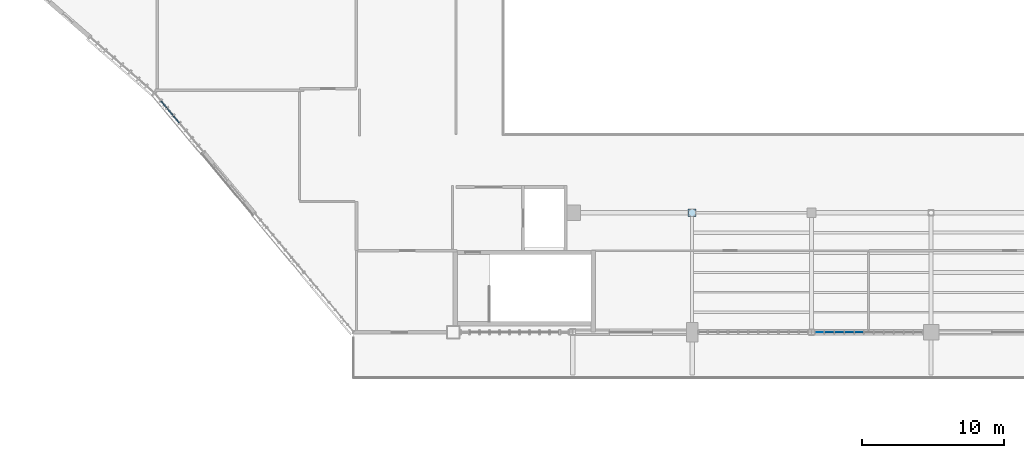
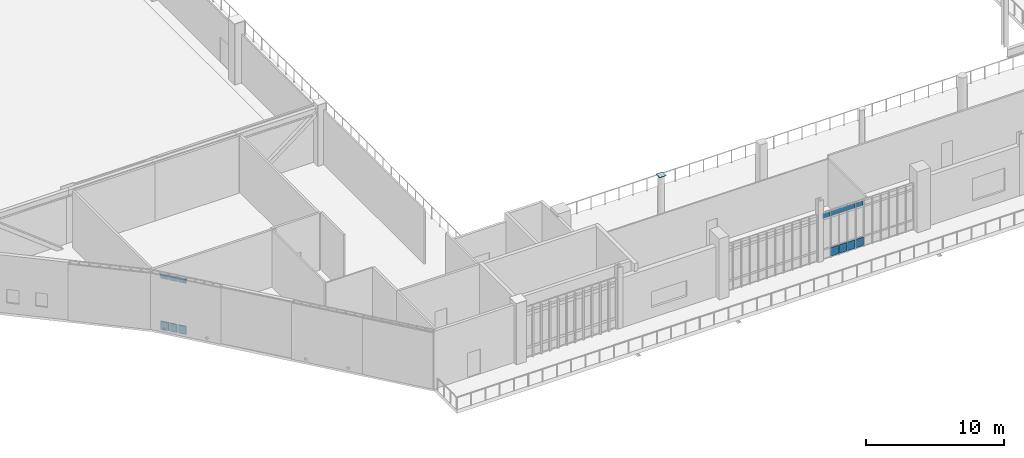
# One storey, part 91 of 135: 16 plates, 2 elements without a shape of their own.
"""IFC4 building model written with IfcOpenShell, lengths in metres."""

import ifcopenshell
import ifcopenshell.guid

model = None  # the IFC model being written
_history = None  # IfcOwnerHistory: only IFC2X3 demands one
_inside = {}  # id of a spatial element -> (the spatial element, [elements in it])
_under = {}  # id of a project, library or spatial element -> (it, [spatial elements below it])
_declared = {}  # id of a project -> (the project, [libraries it declares])
_typed = {}  # id of a type object -> (the type object, [elements of that type])
_made_of = {}  # id of a material, layer set ... -> (it, [elements and type objects made of it])


def new_model(schema):
    """Start an empty IFC model of exactly this schema.

    Asked for "IFC4X3", IfcOpenShell would pick the latest addendum, in which some entities
    have other attributes; the version numbers below select the first issue.
    IFC2X3 requires an IfcOwnerHistory on every rooted entity: one is made here for all.
    """
    global model, _history
    if schema == "IFC4X3":
        model = ifcopenshell.file(schema_version=(4, 3, 0, 0))
    else:
        model = ifcopenshell.file(schema=schema)
    _inside.clear()
    _under.clear()
    _declared.clear()
    _typed.clear()
    _made_of.clear()
    _history = None
    if model.schema == "IFC2X3":
        org = make("IfcOrganization", Name="unknown")
        user = make(
            "IfcPersonAndOrganization",
            ThePerson=make("IfcPerson", FamilyName="unknown"),
            TheOrganization=org,
        )
        app = make(
            "IfcApplication",
            ApplicationDeveloper=org,
            Version="unknown",
            ApplicationFullName="unknown",
            ApplicationIdentifier="unknown",
        )
        _history = make(
            "IfcOwnerHistory",
            OwningUser=user,
            OwningApplication=app,
            ChangeAction="ADDED",
            CreationDate=0,
        )
    return model


def make(cls, **values):
    """One entity of the class cls with the attributes given. An attribute that is None is left unset."""
    return model.create_entity(
        cls, **{name: value for name, value in values.items() if value is not None}
    )


def rooted(cls, **values):
    """An entity with a GlobalId (a new one), such as an element, a storey or a relation."""
    return make(cls, GlobalId=ifcopenshell.guid.new(), OwnerHistory=_history, **values)


def si_unit(unit_type, name, prefix=None):
    """IfcSIUnit, for example si_unit("LENGTHUNIT", "METRE", prefix="MILLI")."""
    return make("IfcSIUnit", UnitType=unit_type, Prefix=prefix, Name=name)


def assignment(units):
    """IfcUnitAssignment: the units of a project."""
    return None if units is None else make("IfcUnitAssignment", Units=units)


def point(xyz):
    """IfcCartesianPoint."""
    return None if xyz is None else make("IfcCartesianPoint", Coordinates=xyz)


def direction(xyz):
    """IfcDirection."""
    return None if xyz is None else make("IfcDirection", DirectionRatios=xyz)


def frame(location, z_axis=None, x_axis=None):
    """IfcAxis2Placement3D, a coordinate frame: its origin and axes. An axis left out is left unset."""
    return make(
        "IfcAxis2Placement3D",
        Location=point(location),
        Axis=direction(z_axis),
        RefDirection=direction(x_axis),
    )


def frame_2d(location, x_axis=None):
    """IfcAxis2Placement2D, a coordinate frame in the plane: its origin and x axis."""
    return make(
        "IfcAxis2Placement2D", Location=point(location), RefDirection=direction(x_axis)
    )


def origin():
    """The frame at (0, 0, 0) with its axes left unset."""
    return frame((0.0, 0.0, 0.0))


def origin_2d():
    """The frame at (0, 0) in the plane with its x axis left unset."""
    return frame_2d((0.0, 0.0))


def place(relative_to, where):
    """IfcLocalPlacement: puts the frame where relative to a parent placement (None: the world)."""
    return make(
        "IfcLocalPlacement", PlacementRelTo=relative_to, RelativePlacement=where
    )


def context(
    kind, dimensions, precision=None, world=None, true_north=None, identifier=None
):
    """IfcGeometricRepresentationContext, for example the 3D "Model" context."""
    return make(
        "IfcGeometricRepresentationContext",
        ContextIdentifier=identifier,
        ContextType=kind,
        CoordinateSpaceDimension=dimensions,
        Precision=precision,
        WorldCoordinateSystem=world,
        TrueNorth=true_north,
    )


def subcontext(parent, identifier, kind, view, scale=None):
    """IfcGeometricRepresentationSubContext, for example "Body" below "Model"."""
    return make(
        "IfcGeometricRepresentationSubContext",
        ContextIdentifier=identifier,
        ContextType=kind,
        ParentContext=parent,
        TargetScale=scale,
        TargetView=view,
    )


def project(units=None, contexts=None):
    """IfcProject with its units and contexts."""
    return rooted(
        "IfcProject",
        Name="project",
        RepresentationContexts=contexts,
        UnitsInContext=assignment(units),
    )


def spatial(cls, under=None, at=None, **own):
    """A site, building, storey or space (cls), placed at a placement, below another one or the project."""
    s = rooted(cls, ObjectPlacement=at, **own)
    if under is not None:
        _under.setdefault(under.id(), (under, []))[1].append(s)
    return s


def profile(cls, at=None, kind="AREA", **sizes):
    """A parametric profile (cls). Its sizes go by their IFC names, for example OverallWidth=200.0."""
    return make(cls, ProfileType=kind, Position=at, **sizes)


def rectangle(**sizes):
    """IfcRectangleProfileDef."""
    return profile("IfcRectangleProfileDef", **sizes)


def extrude(swept, where, along, depth):
    """IfcExtrudedAreaSolid: the profile swept, set in the frame where, extruded along a direction by depth."""
    return make(
        "IfcExtrudedAreaSolid",
        SweptArea=swept,
        Position=where,
        ExtrudedDirection=direction(along),
        Depth=depth,
    )


def shape(context_of_items, identifier, shape_type, items):
    """IfcShapeRepresentation: the items that make up one representation, for example the "Body"."""
    return make(
        "IfcShapeRepresentation",
        ContextOfItems=context_of_items,
        RepresentationIdentifier=identifier,
        RepresentationType=shape_type,
        Items=items,
    )


def material(Name=None, Category=None):
    """IfcMaterial."""
    return make("IfcMaterial", Name=Name, Category=Category)


def layer(
    of_material, thickness, ventilated=None, Name=None, Category=None, Priority=None
):
    """IfcMaterialLayer: one layer of a wall or slab, of a material (None: an air gap)."""
    return make(
        "IfcMaterialLayer",
        Material=of_material,
        LayerThickness=thickness,
        IsVentilated=ventilated,
        Name=Name,
        Category=Category,
        Priority=Priority,
    )


def layer_set(layers, Name=None):
    """IfcMaterialLayerSet."""
    return make("IfcMaterialLayerSet", MaterialLayers=layers, LayerSetName=Name)


def made_of(thing, what):
    """Note that an element or type object is made of a material, layer set ...; save() writes the relation."""
    if what is not None:
        _made_of.setdefault(what.id(), (what, []))[1].append(thing)
    return thing


def type_object(cls, material=None, **own):
    """A type object (cls), such as IfcWallType, which elements share."""
    return made_of(rooted(cls, **own), material)


def element(
    cls,
    number,
    at=None,
    inside=None,
    cuts=None,
    type_object=None,
    material=None,
    context=None,
    identifier="Body",
    shape_type=None,
    held_by="IfcProductDefinitionShape",
    body=None,
    shapes=None,
    **own,
):
    """One element of the class cls, such as IfcWall. Its Tag is "e" and its number.

    at: its placement. inside: the storey or other place that contains it. cuts: it is an
    opening in that element (IfcRelVoidsElement). A single representation is given by context,
    identifier, shape_type and body (its items); several are given by shapes. held_by: the class
    of the entity that holds the representations. save() writes the other relations.
    """
    e = rooted(cls, Tag="e%d" % number, ObjectPlacement=at, **own)
    if body is not None:
        shapes = [shape(context, identifier, shape_type, body)]
    if shapes is not None:
        e.Representation = make(held_by, Representations=shapes)
    if inside is not None:
        _inside.setdefault(inside.id(), (inside, []))[1].append(e)
    if cuts is not None:
        rooted(
            "IfcRelVoidsElement", RelatingBuildingElement=cuts, RelatedOpeningElement=e
        )
    if type_object is not None:
        _typed.setdefault(type_object.id(), (type_object, []))[1].append(e)
    return made_of(e, material)


def aggregate(whole, parts):
    """IfcRelAggregates: a whole, such as a stair, and the parts it consists of."""
    return rooted("IfcRelAggregates", RelatingObject=whole, RelatedObjects=parts)


def save(model, path):
    """Write the relations noted so far, then the file.

    IfcRelAggregates (storeys below a building ...), IfcRelContainedInSpatialStructure (elements
    in a storey), IfcRelDefinesByType, IfcRelAssociatesMaterial and IfcRelDeclares: one each for
    every whole, place, type object, material and project.
    """
    for whole, parts in _under.values():
        aggregate(whole, parts)
    for where, things in _inside.values():
        rooted(
            "IfcRelContainedInSpatialStructure",
            RelatedElements=things,
            RelatingStructure=where,
        )
    for kind, things in _typed.values():
        rooted("IfcRelDefinesByType", RelatedObjects=things, RelatingType=kind)
    for what, things in _made_of.values():
        rooted("IfcRelAssociatesMaterial", RelatedObjects=things, RelatingMaterial=what)
    for by, libraries in _declared.values():
        rooted("IfcRelDeclares", RelatingContext=by, RelatedDefinitions=libraries)
    model.write(path)


model = new_model("IFC4")

# Units and contexts
model_context = context("Model", 3, precision=1e-05, world=origin(), true_north=direction((0.0, 1.0)))
body_context = subcontext(model_context, "Body", "Model", "MODEL_VIEW")
ifc_project = project(units=[si_unit("LENGTHUNIT", "METRE"), si_unit("AREAUNIT", "SQUARE_METRE"), si_unit("VOLUMEUNIT", "CUBIC_METRE"), si_unit("PLANEANGLEUNIT", "RADIAN"), si_unit("MASSUNIT", "GRAM", prefix="KILO")], contexts=[model_context])

# Site, building, storey
site_placement = place(None, origin())
site = spatial("IfcSite", under=ifc_project, at=site_placement, CompositionType="ELEMENT")
building_placement = place(site_placement, origin())
building = spatial("IfcBuilding", under=site, at=building_placement, Name="Larkvane Passage Sports Hall", CompositionType="ELEMENT")
storey_placement = place(building_placement, frame((0.0, 0.0, 16.800048828125)))
storey = spatial("IfcBuildingStorey", under=building, at=storey_placement, Name="L03", CompositionType="ELEMENT", Elevation=16.800048828125)

# Curtain wall, plates
ifc_material_1 = material(Name="Thermally broken aluminium and low-E glazing", Category="aluminium")
curtain_wall_type_1 = type_object("IfcCurtainWallType", Name="CW-STICK-FOYER", PredefinedType="USERDEFINED", material=ifc_material_1)
curtain_wall_1_placement = place(storey_placement, origin())
curtain_wall_1 = element("IfcCurtainWall", 1, at=curtain_wall_1_placement, inside=storey, type_object=curtain_wall_type_1, Name="Curtain wall CW5-L03-130", ObjectType="STICK CURTAIN WALL", PredefinedType="USERDEFINED")
ifc_material_2 = material(Name="Fire-stopped shadow-box spandrel panel")
ifc_layer_1 = layer(ifc_material_2, 0.10498046875)
ifc_layer_set_1 = layer_set([ifc_layer_1], Name="Fire-stopped shadow-box spandrel panel")
plate_type_1 = type_object("IfcPlateType", Name="CWP-SPD-105", PredefinedType="CURTAIN_PANEL", material=ifc_layer_set_1)
plate_1_placement = place(storey_placement, frame((15.331298828125, 37.762451171875, 0.08984375), z_axis=(0.0, 0.0, 1.0), x_axis=(-0.640184399661, 0.7682212796, 0.0)))
plate_1 = element("IfcPlate", 2, at=plate_1_placement, type_object=plate_type_1, Name="CW-03 panel 5.1", PredefinedType="CURTAIN_PANEL", context=body_context, shape_type="SweptSolid", body=[
    extrude(rectangle(XDim=0.593505859375, YDim=0.10498046875, at=origin_2d()), origin(), (0.0, 0.0, 1.0), 0.715087890625),
])
plate_2_placement = place(storey_placement, frame((14.893798828125, 38.28759765625, 0.08984375), z_axis=(0.0, 0.0, 1.0), x_axis=(-0.640184399661, 0.7682212796, 0.0)))
plate_2 = element("IfcPlate", 3, at=plate_2_placement, type_object=plate_type_1, Name="CW-03 panel 6.1", PredefinedType="CURTAIN_PANEL", context=body_context, shape_type="SweptSolid", body=[
    extrude(rectangle(XDim=0.593505859375, YDim=0.10498046875, at=origin_2d()), origin(), (0.0, 0.0, 1.0), 0.715087890625),
])
plate_3_placement = place(storey_placement, frame((14.456298828125, 38.8125, 0.08984375), z_axis=(0.0, 0.0, 1.0), x_axis=(-0.640184399661, 0.7682212796, 0.0)))
plate_3 = element("IfcPlate", 4, at=plate_3_placement, type_object=plate_type_1, Name="CW-03 panel 7.1", PredefinedType="CURTAIN_PANEL", context=body_context, shape_type="SweptSolid", body=[
    extrude(rectangle(XDim=0.593505859375, YDim=0.10498046875, at=origin_2d()), origin(), (0.0, 0.0, 1.0), 0.715087890625),
])

curtain_wall_type_2 = type_object("IfcCurtainWallType", Name="CW-UNIT-VEIL", PredefinedType="USERDEFINED", material=ifc_material_1)
curtain_wall_2_placement = place(storey_placement, origin())
curtain_wall_2 = element("IfcCurtainWall", 5, at=curtain_wall_2_placement, inside=storey, type_object=curtain_wall_type_2, Name="Curtain wall CW5-L03-125", ObjectType="UNITISED CURTAIN WALL", PredefinedType="USERDEFINED")
ifc_material_3 = material(Name="Mineral-wool insulated spandrel cassette")
ifc_layer_2 = layer(ifc_material_3, 0.0849609375)
ifc_layer_set_2 = layer_set([ifc_layer_2], Name="Mineral-wool insulated spandrel cassette")
plate_type_2 = type_object("IfcPlateType", Name="CWP-SPD-85", PredefinedType="CURTAIN_PANEL", material=ifc_layer_set_2)
plate_4_placement = place(storey_placement, frame((63.330810546875, 22.800048828125, 0.06982421875), z_axis=(0.0, 0.0, 1.0), x_axis=(-1.0, 0.0, 0.0)))
plate_4 = element("IfcPlate", 6, at=plate_4_placement, type_object=plate_type_2, Name="CW-02 panel 7.1", PredefinedType="CURTAIN_PANEL", context=body_context, shape_type="SweptSolid", body=[
    extrude(rectangle(XDim=0.6259765625, YDim=0.0849609375, at=origin_2d()), origin(), (0.0, 0.0, 1.0), 0.7451171875),
])
plate_5_placement = place(storey_placement, frame((62.635009765625, 22.800048828125, 0.06982421875), z_axis=(0.0, 0.0, 1.0), x_axis=(-1.0, 0.0, 0.0)))
plate_5 = element("IfcPlate", 7, at=plate_5_placement, type_object=plate_type_2, Name="CW-02 panel 8.1", PredefinedType="CURTAIN_PANEL", context=body_context, shape_type="SweptSolid", body=[
    extrude(rectangle(XDim=0.6259765625, YDim=0.0849609375, at=origin_2d()), origin(), (0.0, 0.0, 1.0), 0.7451171875),
])
plate_6_placement = place(storey_placement, frame((61.939208984375, 22.800048828125, 0.06982421875), z_axis=(0.0, 0.0, 1.0), x_axis=(-1.0, 0.0, 0.0)))
plate_6 = element("IfcPlate", 8, at=plate_6_placement, type_object=plate_type_2, Name="CW-02 panel 9.1", PredefinedType="CURTAIN_PANEL", context=body_context, shape_type="SweptSolid", body=[
    extrude(rectangle(XDim=0.6259765625, YDim=0.0849609375, at=origin_2d()), origin(), (0.0, 0.0, 1.0), 0.7451171875),
])
plate_7_placement = place(storey_placement, frame((61.243408203125, 22.800048828125, 0.06982421875), z_axis=(0.0, 0.0, 1.0), x_axis=(-1.0, 0.0, 0.0)))
plate_7 = element("IfcPlate", 9, at=plate_7_placement, type_object=plate_type_2, Name="CW-02 panel 10.1", PredefinedType="CURTAIN_PANEL", context=body_context, shape_type="SweptSolid", body=[
    extrude(rectangle(XDim=0.6259765625, YDim=0.0849609375, at=origin_2d()), origin(), (0.0, 0.0, 1.0), 0.7451171875),
])
ifc_material_4 = material(Name="Laminated acoustic low-E glazing", Category="glass")
ifc_layer_3 = layer(ifc_material_4, 0.031982421875)
ifc_layer_set_3 = layer_set([ifc_layer_3], Name="Laminated acoustic low-E glazing")
plate_type_3 = type_object("IfcPlateType", Name="CWP-VIS-32", PredefinedType="CURTAIN_PANEL", material=ifc_layer_set_3)
plate_8_placement = place(storey_placement, frame((63.330810546875, 22.800048828125, 3.5927734375), z_axis=(0.0, 0.0, 1.0), x_axis=(-1.0, 0.0, 0.0)))
plate_8 = element("IfcPlate", 10, at=plate_8_placement, type_object=plate_type_3, Name="CW-02 panel 7.3", PredefinedType="CURTAIN_PANEL", context=body_context, shape_type="SweptSolid", body=[
    extrude(rectangle(XDim=0.6259765625, YDim=0.031982421875, at=origin_2d()), origin(), (0.0, 0.0, 1.0), 0.445068359375),
])
plate_9_placement = place(storey_placement, frame((62.635009765625, 22.800048828125, 3.5927734375), z_axis=(0.0, 0.0, 1.0), x_axis=(-1.0, 0.0, 0.0)))
plate_9 = element("IfcPlate", 11, at=plate_9_placement, type_object=plate_type_3, Name="CW-02 panel 8.3", PredefinedType="CURTAIN_PANEL", context=body_context, shape_type="SweptSolid", body=[
    extrude(rectangle(XDim=0.6259765625, YDim=0.031982421875, at=origin_2d()), origin(), (0.0, 0.0, 1.0), 0.445068359375),
])
plate_10_placement = place(storey_placement, frame((61.939208984375, 22.800048828125, 3.5927734375), z_axis=(0.0, 0.0, 1.0), x_axis=(-1.0, 0.0, 0.0)))
plate_10 = element("IfcPlate", 12, at=plate_10_placement, type_object=plate_type_3, Name="CW-02 panel 9.3", PredefinedType="CURTAIN_PANEL", context=body_context, shape_type="SweptSolid", body=[
    extrude(rectangle(XDim=0.6259765625, YDim=0.031982421875, at=origin_2d()), origin(), (0.0, 0.0, 1.0), 0.445068359375),
])
plate_11_placement = place(storey_placement, frame((61.243408203125, 22.800048828125, 3.5927734375), z_axis=(0.0, 0.0, 1.0), x_axis=(-1.0, 0.0, 0.0)))
plate_11 = element("IfcPlate", 13, at=plate_11_placement, type_object=plate_type_3, Name="CW-02 panel 10.3", PredefinedType="CURTAIN_PANEL", context=body_context, shape_type="SweptSolid", body=[
    extrude(rectangle(XDim=0.6259765625, YDim=0.031982421875, at=origin_2d()), origin(), (0.0, 0.0, 1.0), 0.445068359375),
])
plate_12_placement = place(storey_placement, frame((60.56494140625, 22.800048828125, 3.5927734375), z_axis=(0.0, 0.0, 1.0), x_axis=(-1.0, 0.0, 0.0)))
plate_12 = element("IfcPlate", 14, at=plate_12_placement, type_object=plate_type_3, Name="CW-02 panel 11.3", PredefinedType="CURTAIN_PANEL", context=body_context, shape_type="SweptSolid", body=[
    extrude(rectangle(XDim=0.5908203125, YDim=0.031982421875, at=origin_2d()), origin(), (0.0, 0.0, 1.0), 0.445068359375),
])
aggregate(curtain_wall_2, [plate_4, plate_8, plate_5, plate_9, plate_6, plate_10, plate_7, plate_11, plate_12])

# Plate
ifc_material_5 = material(Name="High-impact court low-E glazing", Category="glass")
ifc_layer_4 = layer(ifc_material_5, 0.035888671875)
ifc_layer_set_4 = layer_set([ifc_layer_4], Name="High-impact court low-E glazing")
plate_type_4 = type_object("IfcPlateType", Name="CWP-VIS-36", PredefinedType="CURTAIN_PANEL", material=ifc_layer_set_4)
plate_13_placement = place(storey_placement, frame((15.331298828125, 37.762451171875, 4.594970703125), z_axis=(0.0, 0.0, 1.0), x_axis=(-0.640184399661, 0.7682212796, 0.0)))
plate_13 = element("IfcPlate", 15, at=plate_13_placement, type_object=plate_type_4, Name="CW-03 panel 5.3", PredefinedType="CURTAIN_PANEL", context=body_context, shape_type="SweptSolid", body=[
    extrude(rectangle(XDim=0.593505859375, YDim=0.035888671875, at=origin_2d()), origin(), (0.0, 0.0, 1.0), 0.4150390625),
])

plate_14_placement = place(storey_placement, frame((14.893798828125, 38.28759765625, 4.594970703125), z_axis=(0.0, 0.0, 1.0), x_axis=(-0.640184399661, 0.7682212796, 0.0)))
plate_14 = element("IfcPlate", 16, at=plate_14_placement, type_object=plate_type_4, Name="CW-03 panel 6.3", PredefinedType="CURTAIN_PANEL", context=body_context, shape_type="SweptSolid", body=[
    extrude(rectangle(XDim=0.593505859375, YDim=0.035888671875, at=origin_2d()), origin(), (0.0, 0.0, 1.0), 0.4150390625),
])

plate_15_placement = place(storey_placement, frame((14.456298828125, 38.8125, 4.594970703125), z_axis=(0.0, 0.0, 1.0), x_axis=(-0.640184399661, 0.7682212796, 0.0)))
plate_15 = element("IfcPlate", 17, at=plate_15_placement, type_object=plate_type_4, Name="CW-03 panel 7.3", PredefinedType="CURTAIN_PANEL", context=body_context, shape_type="SweptSolid", body=[
    extrude(rectangle(XDim=0.593505859375, YDim=0.035888671875, at=origin_2d()), origin(), (0.0, 0.0, 1.0), 0.4150390625),
])

aggregate(curtain_wall_1, [plate_1, plate_13, plate_2, plate_14, plate_3, plate_15])

ifc_material_6 = material(Name="Steel S460N", Category="steel")
ifc_layer_5 = layer(ifc_material_6, 0.028076171875)
ifc_layer_set_5 = layer_set([ifc_layer_5], Name="Steel S460N")
plate_type_5 = type_object("IfcPlateType", Name="PLT-CAP-28", PredefinedType="SHEET", material=ifc_layer_set_5)
plate_16_placement = place(storey_placement, frame((51.60009765625, 31.199951171875, 5.39990234375), z_axis=(0.0, 0.0, 1.0), x_axis=(1.0, 0.0, 0.0)))
element("IfcPlate", 18, at=plate_16_placement, inside=storey, type_object=plate_type_5, Name="Hollow section sealed end cap plate 0009", PredefinedType="SHEET", context=body_context, shape_type="SweptSolid", body=[
    extrude(rectangle(XDim=0.548095703125, YDim=0.548095703125, at=origin_2d()), origin(), (0.0, 0.0, 1.0), 0.028076171875),
])

save(model, "model.ifc")
